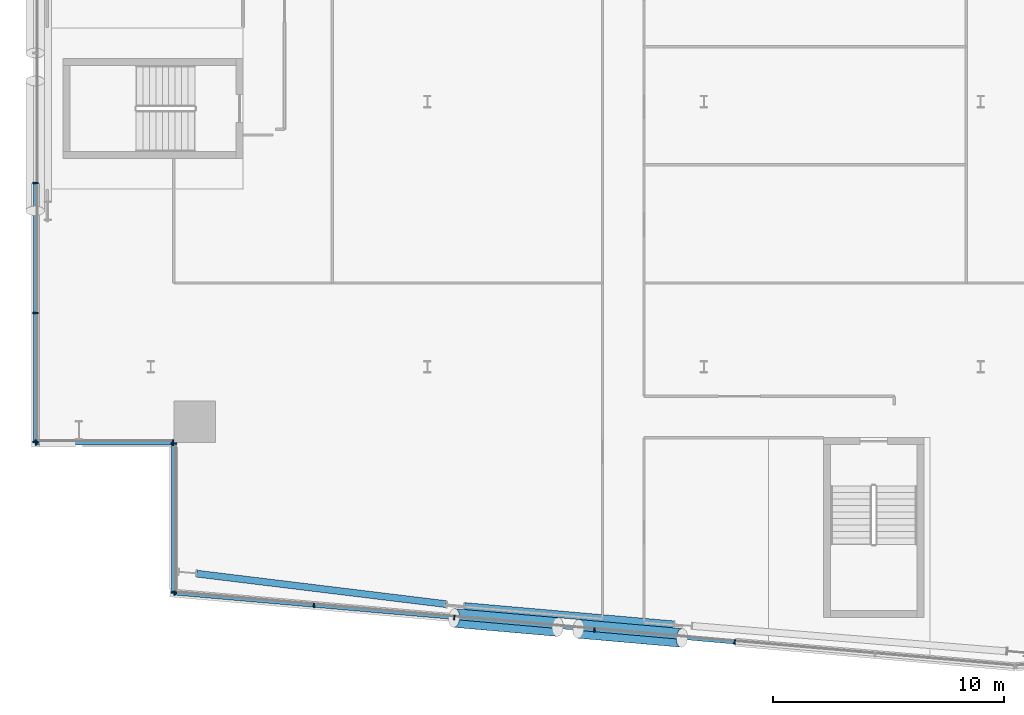
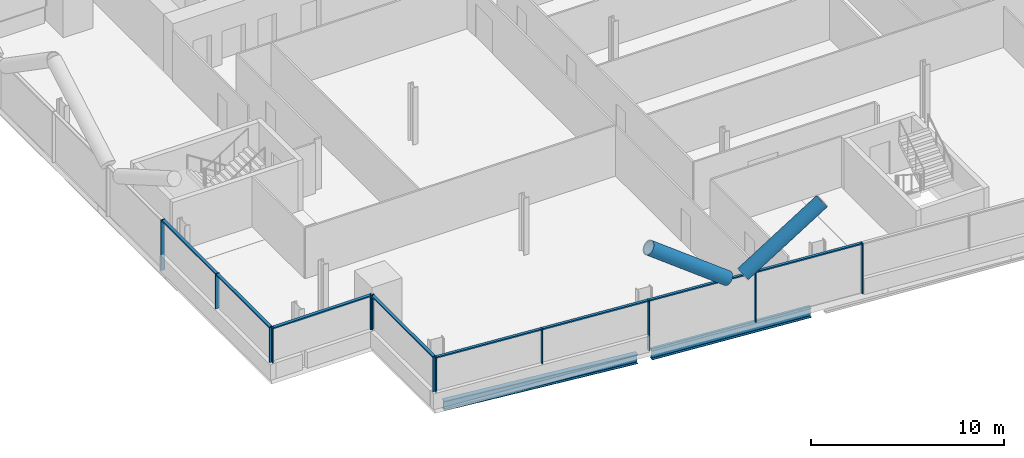
# One storey, part 5 of 27: 22 members, 2 beams, 4 elements without a shape of their own.
"""IFC4 building model written with IfcOpenShell, lengths in metres."""

from ifc_helpers import new_model, si_unit, direction, frame, origin, origin_2d, place, context, subcontext, project, spatial, rectangle, hollow_circle, i_section, extrude, material, material_profile, profile_set, type_object, element, aggregate, save


model = new_model("IFC4")

# Units and contexts
model_context = context("Model", 3, precision=1e-05, world=origin(), true_north=direction((0.0, 1.0)))
body_context = subcontext(model_context, "Body", "Model", "MODEL_VIEW")
ifc_project = project(units=[si_unit("LENGTHUNIT", "METRE"), si_unit("AREAUNIT", "SQUARE_METRE"), si_unit("VOLUMEUNIT", "CUBIC_METRE"), si_unit("PLANEANGLEUNIT", "RADIAN"), si_unit("MASSUNIT", "GRAM", prefix="KILO")], contexts=[model_context])

# Site, building, storey
site_placement = place(None, origin())
site = spatial("IfcSite", under=ifc_project, at=site_placement, CompositionType="ELEMENT")
building_placement = place(site_placement, origin())
building = spatial("IfcBuilding", under=site, at=building_placement, Name="Wharfspan Tower", CompositionType="ELEMENT")
storey_placement = place(building_placement, frame((0.0, 0.0, 118.300049)))
storey = spatial("IfcBuildingStorey", under=building, at=storey_placement, Name="L27", CompositionType="ELEMENT", Elevation=118.300049)

# Beams
ifc_material_1 = material(Name="Steel S355J2", Category="steel")
ifc_material_profile_1 = material_profile(ifc_material_1, i_section(OverallWidth=0.300049, OverallDepth=0.600098, WebThickness=0.015381, FlangeThickness=0.030029, FilletRadius=0.0271, at=origin_2d()))
ifc_profile_set_1 = profile_set([ifc_material_profile_1], Name="Steel S355J2")
beam_type = type_object("IfcBeamType", Name="Edge beam HEB 600", PredefinedType="SPANDREL", material=ifc_profile_set_1)
beam_1_placement = place(storey_placement, frame((13.990967, 2.520508, -0.699951), z_axis=(0.992611, -0.121342, 0.0), x_axis=(0.121342, 0.992611, 0.0)))
element("IfcBeam", 1, at=beam_1_placement, inside=storey, type_object=beam_type, Name="Edge beam S1 L27 PS1.1 to PS1.2", PredefinedType="SPANDREL", context=body_context, shape_type="SweptSolid", body=[
    extrude(i_section(OverallWidth=0.300049, OverallDepth=0.600098, WebThickness=0.015381, FlangeThickness=0.030029, FilletRadius=0.0271, at=origin_2d()), origin(), (0.0, 0.0, 1.0), 10.903076),
])
beam_2_placement = place(storey_placement, frame((25.615234, 1.113525, -0.699951), z_axis=(0.996195, -0.087151, 0.0), x_axis=(0.087151, 0.996195, 0.0)))
element("IfcBeam", 2, at=beam_2_placement, inside=storey, type_object=beam_type, Name="Edge beam S1 L27 PS1.2 to PS1.3", PredefinedType="SPANDREL", context=body_context, shape_type="SweptSolid", body=[
    extrude(i_section(OverallWidth=0.300049, OverallDepth=0.600098, WebThickness=0.015381, FlangeThickness=0.030029, FilletRadius=0.0271, at=origin_2d()), origin(), (0.0, 0.0, 1.0), 9.107178),
])

# Curtain wall, members
ifc_material_2 = material(Name="Aluminium 6063-T6", Category="aluminium")
curtain_wall_type_1 = type_object("IfcCurtainWallType", Name="CURTAIN WALL FACETED FRONT", PredefinedType="NOTDEFINED", material=ifc_material_2)
curtain_wall_1_placement = place(storey_placement, origin())
curtain_wall_1 = element("IfcCurtainWall", 3, at=curtain_wall_1_placement, inside=storey, type_object=curtain_wall_type_1, Name="Curtain wall S1", PredefinedType="NOTDEFINED")
ifc_material_profile_2 = material_profile(ifc_material_2, rectangle(XDim=0.199951, YDim=0.060059, at=origin_2d()))
ifc_profile_set_2 = profile_set([ifc_material_profile_2], Name="Aluminium 6063-T6")
member_type_1 = type_object("IfcMemberType", Name="MULLION FACETED FRONT 60x200", PredefinedType="MULLION", material=ifc_profile_set_2)
member_1_placement = place(storey_placement, frame((13.029785, 1.672363, 1.0), z_axis=(0.0, 0.0, 1.0), x_axis=(0.087156, 0.996198, 0.0)))
member_1 = element("IfcMember", 4, at=member_1_placement, type_object=member_type_1, Name="Curtain wall S1 mullion 1", PredefinedType="MULLION", context=body_context, shape_type="SweptSolid", body=[
    extrude(rectangle(XDim=0.199951, YDim=0.060059, at=origin_2d()), origin(), (0.0, 0.0, 1.0), 2.199951),
])
member_2_placement = place(storey_placement, frame((19.083252, 1.142822, 1.0), z_axis=(0.0, 0.0, 1.0), x_axis=(0.087156, 0.996198, 0.0)))
member_2 = element("IfcMember", 5, at=member_2_placement, type_object=member_type_1, Name="Curtain wall S1 mullion 2", PredefinedType="MULLION", context=body_context, shape_type="SweptSolid", body=[
    extrude(rectangle(XDim=0.199951, YDim=0.060059, at=origin_2d()), origin(), (0.0, 0.0, 1.0), 2.199951),
])
member_3_placement = place(storey_placement, frame((25.166748, 0.610596, 0.0), z_axis=(0.0, 0.0, 1.0), x_axis=(0.087156, 0.996198, 0.0)))
member_3 = element("IfcMember", 6, at=member_3_placement, type_object=member_type_1, Name="Curtain wall S1 mullion 3", PredefinedType="MULLION", context=body_context, shape_type="SweptSolid", body=[
    extrude(rectangle(XDim=0.199951, YDim=0.060059, at=origin_2d()), origin(), (0.0, 0.0, 1.0), 3.199951),
])
member_4_placement = place(storey_placement, frame((31.25, 0.078369, 0.0), z_axis=(0.0, 0.0, 1.0), x_axis=(0.087156, 0.996198, 0.0)))
member_4 = element("IfcMember", 7, at=member_4_placement, type_object=member_type_1, Name="Curtain wall S1 mullion 4", PredefinedType="MULLION", context=body_context, shape_type="SweptSolid", body=[
    extrude(rectangle(XDim=0.199951, YDim=0.060059, at=origin_2d()), origin(), (0.0, 0.0, 1.0), 3.199951),
])
member_5_placement = place(storey_placement, frame((37.333252, -0.453857, 0.0), z_axis=(0.0, 0.0, 1.0), x_axis=(0.087156, 0.996198, 0.0)))
member_5 = element("IfcMember", 8, at=member_5_placement, type_object=member_type_1, Name="Curtain wall S1 mullion 5", PredefinedType="MULLION", context=body_context, shape_type="SweptSolid", body=[
    extrude(rectangle(XDim=0.199951, YDim=0.060059, at=origin_2d()), origin(), (0.0, 0.0, 1.0), 3.199951),
])

curtain_wall_type_2 = type_object("IfcCurtainWallType", Name="CURTAIN WALL PROW AND END", PredefinedType="NOTDEFINED", material=ifc_material_2)
curtain_wall_2_placement = place(storey_placement, origin())
curtain_wall_2 = element("IfcCurtainWall", 9, at=curtain_wall_2_placement, inside=storey, type_object=curtain_wall_type_2, Name="Curtain wall W", PredefinedType="NOTDEFINED")
ifc_material_profile_3 = material_profile(ifc_material_2, rectangle(XDim=0.23999, YDim=0.060059, at=origin_2d()))
ifc_profile_set_3 = profile_set([ifc_material_profile_3], Name="Aluminium 6063-T6")
member_type_2 = type_object("IfcMemberType", Name="MULLION PROW AND END 60x240", PredefinedType="MULLION", material=ifc_profile_set_3)
member_6_placement = place(storey_placement, frame((7.0, 19.466553, 0.0), z_axis=(0.0, 0.0, 1.0), x_axis=(1.0, 0.0, 0.0)))
member_6 = element("IfcMember", 10, at=member_6_placement, type_object=member_type_2, Name="Curtain wall W mullion 5", PredefinedType="MULLION", context=body_context, shape_type="SweptSolid", body=[
    extrude(rectangle(XDim=0.23999, YDim=0.060059, at=origin_2d()), origin(), (0.0, 0.0, 1.0), 3.199951),
])
member_7_placement = place(storey_placement, frame((7.0, 13.833252, 1.0), z_axis=(0.0, 0.0, 1.0), x_axis=(1.0, 0.0, 0.0)))
member_7 = element("IfcMember", 11, at=member_7_placement, type_object=member_type_2, Name="Curtain wall W mullion 6", PredefinedType="MULLION", context=body_context, shape_type="SweptSolid", body=[
    extrude(rectangle(XDim=0.23999, YDim=0.060059, at=origin_2d()), origin(), (0.0, 0.0, 1.0), 2.199951),
])
member_8_placement = place(storey_placement, frame((7.0, 8.22998, 1.0), z_axis=(0.0, 0.0, 1.0), x_axis=(1.0, 0.0, 0.0)))
member_8 = element("IfcMember", 12, at=member_8_placement, type_object=member_type_2, Name="Curtain wall W mullion 7", PredefinedType="MULLION", context=body_context, shape_type="SweptSolid", body=[
    extrude(rectangle(XDim=0.23999, YDim=0.060059, at=origin_2d()), origin(), (0.0, 0.0, 1.0), 2.199951),
])

curtain_wall_3_placement = place(storey_placement, origin())
curtain_wall_3 = element("IfcCurtainWall", 13, at=curtain_wall_3_placement, inside=storey, type_object=curtain_wall_type_2, Name="Curtain wall NFW-H", PredefinedType="NOTDEFINED")
member_9_placement = place(storey_placement, frame((7.030029, 8.199951, 1.0), z_axis=(0.0, 0.0, 1.0), x_axis=(0.0, 1.0, 0.0)))
member_9 = element("IfcMember", 14, at=member_9_placement, type_object=member_type_2, Name="Curtain wall NFW-H mullion 1", PredefinedType="MULLION", context=body_context, shape_type="SweptSolid", body=[
    extrude(rectangle(XDim=0.23999, YDim=0.060059, at=origin_2d()), origin(), (0.0, 0.0, 1.0), 2.199951),
])
member_10_placement = place(storey_placement, frame((12.969971, 8.199951, 1.0), z_axis=(0.0, 0.0, 1.0), x_axis=(0.0, 1.0, 0.0)))
member_10 = element("IfcMember", 15, at=member_10_placement, type_object=member_type_2, Name="Curtain wall NFW-H mullion 2", PredefinedType="MULLION", context=body_context, shape_type="SweptSolid", body=[
    extrude(rectangle(XDim=0.23999, YDim=0.060059, at=origin_2d()), origin(), (0.0, 0.0, 1.0), 2.199951),
])

curtain_wall_4_placement = place(storey_placement, origin())
curtain_wall_4 = element("IfcCurtainWall", 16, at=curtain_wall_4_placement, inside=storey, type_object=curtain_wall_type_2, Name="Curtain wall NFW-V", PredefinedType="NOTDEFINED")
member_11_placement = place(storey_placement, frame((13.0, 8.169922, 1.0), z_axis=(0.0, 0.0, 1.0), x_axis=(1.0, 0.0, 0.0)))
member_11 = element("IfcMember", 17, at=member_11_placement, type_object=member_type_2, Name="Curtain wall NFW-V mullion 1", PredefinedType="MULLION", context=body_context, shape_type="SweptSolid", body=[
    extrude(rectangle(XDim=0.23999, YDim=0.060059, at=origin_2d()), origin(), (0.0, 0.0, 1.0), 2.199951),
])
member_12_placement = place(storey_placement, frame((13.0, 1.705078, 1.0), z_axis=(0.0, 0.0, 1.0), x_axis=(1.0, 0.0, 0.0)))
member_12 = element("IfcMember", 18, at=member_12_placement, type_object=member_type_2, Name="Curtain wall NFW-V mullion 2", PredefinedType="MULLION", context=body_context, shape_type="SweptSolid", body=[
    extrude(rectangle(XDim=0.23999, YDim=0.060059, at=origin_2d()), origin(), (0.0, 0.0, 1.0), 2.199951),
])

# Members
ifc_material_3 = material(Name="Steel S460NH", Category="steel")
ifc_material_profile_4 = material_profile(ifc_material_3, hollow_circle(Radius=0.406494, WallThickness=0.040039, at=origin_2d()))
ifc_profile_set_4 = profile_set([ifc_material_profile_4], Name="Steel S460NH")
member_type_3 = type_object("IfcMemberType", Name="Mega brace CHS 813x40", PredefinedType="BRACE", material=ifc_profile_set_4)
member_13_placement = place(storey_placement, frame((30.551514, 0.124512, 3.226807), z_axis=(0.806015, -0.070528, 0.587679), x_axis=(0.087171, 0.996191, -3e-06)))
element("IfcMember", 19, at=member_13_placement, inside=storey, type_object=member_type_3, Name="Mega brace S1 L27 part 2", PredefinedType="BRACE", context=body_context, shape_type="SweptSolid", body=[
    extrude(hollow_circle(Radius=0.406494, WallThickness=0.040039, at=origin_2d()), origin(), (0.0, 0.0, 1.0), 5.56958),
])
member_14_placement = place(storey_placement, frame((29.654785, 0.202881, 3.226807), z_axis=(-0.80603, 0.070526, 0.587658), x_axis=(-0.087167, -0.996192, -3e-06)))
element("IfcMember", 20, at=member_14_placement, inside=storey, type_object=member_type_3, Name="Mega brace S1 L27 part 4", PredefinedType="BRACE", context=body_context, shape_type="SweptSolid", body=[
    extrude(hollow_circle(Radius=0.406494, WallThickness=0.040039, at=origin_2d()), origin(), (0.0, 0.0, 1.0), 5.569824),
])

# Member
ifc_material_profile_5 = material_profile(ifc_material_2, rectangle(XDim=0.159912, YDim=0.080078, at=origin_2d()))
ifc_profile_set_5 = profile_set([ifc_material_profile_5], Name="Aluminium 6063-T6")
member_type_4 = type_object("IfcMemberType", Name="TRANSOM FACETED FRONT 80x160", PredefinedType="USERDEFINED", material=ifc_profile_set_5)
member_15_placement = place(storey_placement, frame((13.059814, 1.669922, 3.159912), z_axis=(0.996194, -0.087162, 0.0), x_axis=(0.087162, 0.996194, 0.0)))
member_15 = element("IfcMember", 21, at=member_15_placement, type_object=member_type_4, Name="Curtain wall S1 transom 1", ObjectType="TRANSOM", PredefinedType="USERDEFINED", context=body_context, shape_type="SweptSolid", body=[
    extrude(rectangle(XDim=0.159912, YDim=0.080078, at=origin_2d()), origin(), (0.0, 0.0, 1.0), 6.016602),
])

member_16_placement = place(storey_placement, frame((19.113281, 1.140137, 3.159912), z_axis=(0.996197, -0.087135, 0.0), x_axis=(0.087135, 0.996197, 0.0)))
member_16 = element("IfcMember", 22, at=member_16_placement, type_object=member_type_4, Name="Curtain wall S1 transom 2", ObjectType="TRANSOM", PredefinedType="USERDEFINED", context=body_context, shape_type="SweptSolid", body=[
    extrude(rectangle(XDim=0.159912, YDim=0.080078, at=origin_2d()), origin(), (0.0, 0.0, 1.0), 6.046387),
])

member_17_placement = place(storey_placement, frame((25.196533, 0.60791, 3.159912), z_axis=(0.996197, -0.087131, 0.0), x_axis=(0.087131, 0.996197, 0.0)))
member_17 = element("IfcMember", 23, at=member_17_placement, type_object=member_type_4, Name="Curtain wall S1 transom 3", ObjectType="TRANSOM", PredefinedType="USERDEFINED", context=body_context, shape_type="SweptSolid", body=[
    extrude(rectangle(XDim=0.159912, YDim=0.080078, at=origin_2d()), origin(), (0.0, 0.0, 1.0), 6.046631),
])

member_18_placement = place(storey_placement, frame((31.279785, 0.075684, 3.159912), z_axis=(0.996197, -0.087131, 0.0), x_axis=(0.087131, 0.996197, 0.0)))
member_18 = element("IfcMember", 24, at=member_18_placement, type_object=member_type_4, Name="Curtain wall S1 transom 4", ObjectType="TRANSOM", PredefinedType="USERDEFINED", context=body_context, shape_type="SweptSolid", body=[
    extrude(rectangle(XDim=0.159912, YDim=0.080078, at=origin_2d()), origin(), (0.0, 0.0, 1.0), 6.046631),
])

aggregate(curtain_wall_1, [member_1, member_2, member_3, member_4, member_5, member_15, member_16, member_17, member_18])

ifc_material_profile_6 = material_profile(ifc_material_2, rectangle(XDim=0.179932, YDim=0.080078, at=origin_2d()))
ifc_profile_set_6 = profile_set([ifc_material_profile_6], Name="Aluminium 6063-T6")
member_type_5 = type_object("IfcMemberType", Name="TRANSOM PROW AND END 80x180", PredefinedType="USERDEFINED", material=ifc_profile_set_6)
member_19_placement = place(storey_placement, frame((7.0, 19.436768, 3.159912), z_axis=(0.0, -1.0, 0.0), x_axis=(1.0, 0.0, 0.0)))
member_19 = element("IfcMember", 25, at=member_19_placement, type_object=member_type_5, Name="Curtain wall W transom 5", ObjectType="TRANSOM", PredefinedType="USERDEFINED", context=body_context, shape_type="SweptSolid", body=[
    extrude(rectangle(XDim=0.179932, YDim=0.080078, at=origin_2d()), origin(), (0.0, 0.0, 1.0), 5.573486),
])

member_20_placement = place(storey_placement, frame((7.0, 13.803223, 3.159912), z_axis=(0.0, -1.0, 0.0), x_axis=(1.0, 0.0, 0.0)))
member_20 = element("IfcMember", 26, at=member_20_placement, type_object=member_type_5, Name="Curtain wall W transom 6", ObjectType="TRANSOM", PredefinedType="USERDEFINED", context=body_context, shape_type="SweptSolid", body=[
    extrude(rectangle(XDim=0.179932, YDim=0.080078, at=origin_2d()), origin(), (0.0, 0.0, 1.0), 5.543213),
])

aggregate(curtain_wall_2, [member_6, member_7, member_8, member_19, member_20])

member_21_placement = place(storey_placement, frame((7.060059, 8.199951, 3.159912), z_axis=(1.0, 0.0, 0.0), x_axis=(0.0, 1.0, 0.0)))
member_21 = element("IfcMember", 27, at=member_21_placement, type_object=member_type_5, Name="Curtain wall NFW-H transom 1", ObjectType="TRANSOM", PredefinedType="USERDEFINED", context=body_context, shape_type="SweptSolid", body=[
    extrude(rectangle(XDim=0.179932, YDim=0.080078, at=origin_2d()), origin(), (0.0, 0.0, 1.0), 5.879883),
])

aggregate(curtain_wall_3, [member_9, member_10, member_21])

member_22_placement = place(storey_placement, frame((13.0, 8.139893, 3.159912), z_axis=(0.0, -1.0, 0.0), x_axis=(1.0, 0.0, 0.0)))
member_22 = element("IfcMember", 28, at=member_22_placement, type_object=member_type_5, Name="Curtain wall NFW-V transom 1", ObjectType="TRANSOM", PredefinedType="USERDEFINED", context=body_context, shape_type="SweptSolid", body=[
    extrude(rectangle(XDim=0.179932, YDim=0.080078, at=origin_2d()), origin(), (0.0, 0.0, 1.0), 6.404785),
])

aggregate(curtain_wall_4, [member_11, member_12, member_22])

save(model, "model.ifc")
